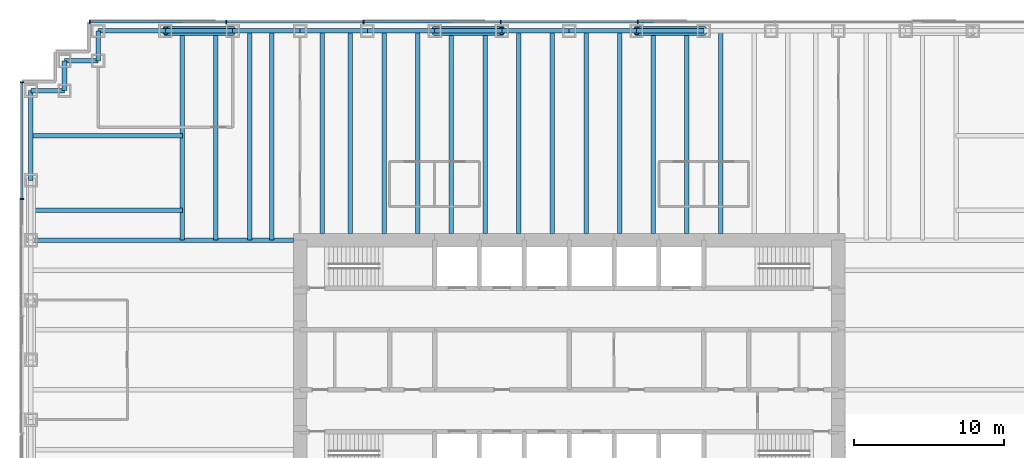
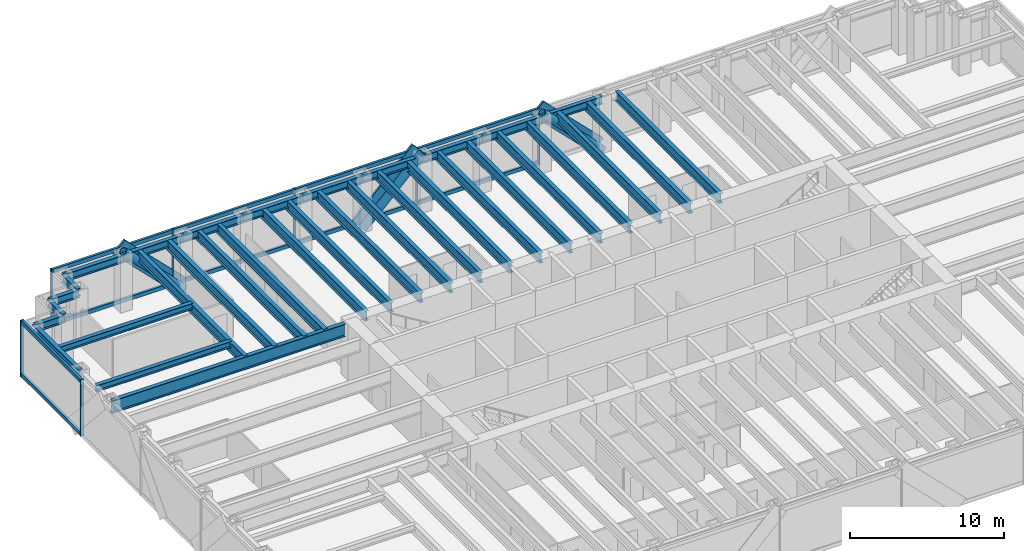
# One storey, part 5 of 13: 34 beams, 23 members, 2 elements without a shape of their own.
"""IFC4 building model written with IfcOpenShell, lengths in metres."""

from ifc_helpers import new_model, si_unit, direction, frame, origin, origin_2d, place, context, subcontext, project, spatial, rectangle, hollow_circle, i_section, extrude, material, material_profile, profile_set, type_object, element, aggregate, save


model = new_model("IFC4")

# Units and contexts
model_context = context("Model", 3, precision=1e-05, world=origin(), true_north=direction((0.0, 1.0)))
body_context = subcontext(model_context, "Body", "Model", "MODEL_VIEW")
ifc_project = project(units=[si_unit("LENGTHUNIT", "METRE"), si_unit("AREAUNIT", "SQUARE_METRE"), si_unit("VOLUMEUNIT", "CUBIC_METRE"), si_unit("PLANEANGLEUNIT", "RADIAN"), si_unit("MASSUNIT", "GRAM", prefix="KILO")], contexts=[model_context])

# Site, building, storey
site_placement = place(None, origin())
site = spatial("IfcSite", under=ifc_project, at=site_placement, CompositionType="ELEMENT")
building_placement = place(site_placement, origin())
building = spatial("IfcBuilding", under=site, at=building_placement, Name="Rheinbord Bourse Tower", CompositionType="ELEMENT")
storey_placement = place(building_placement, frame((0.0, 0.0, 86.0)))
storey = spatial("IfcBuildingStorey", under=building, at=storey_placement, Name="L18", CompositionType="ELEMENT", Elevation=86.0)

# Curtain wall, members
ifc_material_1 = material(Name="Dark glass and black aluminium", Category="aluminium")
curtain_wall_type = type_object("IfcCurtainWallType", Name="CW1 DARK GLASS CURTAIN WALL", PredefinedType="USERDEFINED", material=ifc_material_1)
curtain_wall_1_placement = place(storey_placement, origin())
curtain_wall_1 = element("IfcCurtainWall", 1, at=curtain_wall_1_placement, inside=storey, type_object=curtain_wall_type, Name="Curtain wall CW1 N L18", ObjectType="UNITISED CURTAIN WALL", PredefinedType="USERDEFINED")
ifc_material_2 = material(Name="Black anodised aluminium", Category="aluminium")
ifc_material_profile_1 = material_profile(ifc_material_2, rectangle(XDim=0.179931640625, YDim=1.2099609375, at=origin_2d()), Name="CW1 DIAGONAL MULLION 1210x180")
ifc_profile_set_1 = profile_set([ifc_material_profile_1], Name="Black anodised aluminium")
member_type_1 = type_object("IfcMemberType", Name="CW1 BLACK DIAGONAL MULLION", PredefinedType="USERDEFINED", material=ifc_profile_set_1)
member_1_placement = place(storey_placement, frame((45.0, 46.60009765625, 0.0), z_axis=(-0.707106781187, 0.0, 0.707106781187), x_axis=(0.0, -1.0, 0.0)))
member_1 = element("IfcMember", 2, at=member_1_placement, type_object=member_type_1, Name="CW1 diagonal mullion a", ObjectType="DIAGONAL MULLION", PredefinedType="USERDEFINED", context=body_context, shape_type="SweptSolid", body=[
    extrude(rectangle(XDim=0.179931640625, YDim=1.2099609375, at=origin_2d()), origin(), (0.0, 0.0, 1.0), 6.364013671875),
])
member_2_placement = place(storey_placement, frame((27.0, 46.60009765625, 0.0), z_axis=(0.707106781187, 0.0, 0.707106781187), x_axis=(0.0, 1.0, 0.0)))
member_2 = element("IfcMember", 3, at=member_2_placement, type_object=member_type_1, Name="CW1 diagonal mullion b", ObjectType="DIAGONAL MULLION", PredefinedType="USERDEFINED", context=body_context, shape_type="SweptSolid", body=[
    extrude(rectangle(XDim=0.179931640625, YDim=1.2099609375, at=origin_2d()), origin(), (0.0, 0.0, 1.0), 6.364013671875),
])
member_3_placement = place(storey_placement, frame((13.5, 46.60009765625, 0.0), z_axis=(-0.707106781187, 0.0, 0.707106781187), x_axis=(0.0, -1.0, 0.0)))
member_3 = element("IfcMember", 4, at=member_3_placement, type_object=member_type_1, Name="CW1 diagonal mullion c", ObjectType="DIAGONAL MULLION", PredefinedType="USERDEFINED", context=body_context, shape_type="SweptSolid", body=[
    extrude(rectangle(XDim=0.179931640625, YDim=1.2099609375, at=origin_2d()), origin(), (0.0, 0.0, 1.0), 6.364013671875),
])
ifc_material_3 = material(Name="Black anodised aluminium", Category="aluminium")
ifc_material_profile_2 = material_profile(ifc_material_3, rectangle(XDim=0.25, YDim=0.080078125, at=origin_2d()), Name="CW1 MULLION 80x250")
ifc_profile_set_2 = profile_set([ifc_material_profile_2], Name="Black anodised aluminium")
member_type_2 = type_object("IfcMemberType", Name="CW1 BLACK MULLION", PredefinedType="MULLION", material=ifc_profile_set_2)
member_4_placement = place(storey_placement, frame((40.585693359375, 46.60009765625, 0.0), z_axis=(0.0, 0.0, 1.0), x_axis=(0.0, -1.0, 0.0)))
member_4 = element("IfcMember", 5, at=member_4_placement, type_object=member_type_2, Name="CW1 mullion 4", PredefinedType="MULLION", context=body_context, shape_type="SweptSolid", body=[
    extrude(rectangle(XDim=0.25, YDim=0.080078125, at=origin_2d()), origin(), (0.0, 0.0, 1.0), 4.5),
])
member_5_placement = place(storey_placement, frame((31.414306640625, 46.60009765625, 0.0), z_axis=(0.0, 0.0, 1.0), x_axis=(0.0, -1.0, 0.0)))
member_5 = element("IfcMember", 6, at=member_5_placement, type_object=member_type_2, Name="CW1 mullion 5", PredefinedType="MULLION", context=body_context, shape_type="SweptSolid", body=[
    extrude(rectangle(XDim=0.25, YDim=0.080078125, at=origin_2d()), origin(), (0.0, 0.0, 1.0), 4.5),
])
member_6_placement = place(storey_placement, frame((22.242919921875, 46.60009765625, 0.0), z_axis=(0.0, 0.0, 1.0), x_axis=(0.0, -1.0, 0.0)))
member_6 = element("IfcMember", 7, at=member_6_placement, type_object=member_type_2, Name="CW1 mullion 6", PredefinedType="MULLION", context=body_context, shape_type="SweptSolid", body=[
    extrude(rectangle(XDim=0.25, YDim=0.080078125, at=origin_2d()), origin(), (0.0, 0.0, 1.0), 4.5),
])
member_7_placement = place(storey_placement, frame((13.071533203125, 46.60009765625, 0.0), z_axis=(0.0, 0.0, 1.0), x_axis=(0.0, -1.0, 0.0)))
member_7 = element("IfcMember", 8, at=member_7_placement, type_object=member_type_2, Name="CW1 mullion 7", PredefinedType="MULLION", context=body_context, shape_type="SweptSolid", body=[
    extrude(rectangle(XDim=0.25, YDim=0.080078125, at=origin_2d()), origin(), (0.0, 0.0, 1.0), 4.5),
])
member_8_placement = place(storey_placement, frame((3.93994140625, 46.60009765625, 0.0), z_axis=(0.0, 0.0, 1.0), x_axis=(0.0, -1.0, 0.0)))
member_8 = element("IfcMember", 9, at=member_8_placement, type_object=member_type_2, Name="CW1 mullion 8", PredefinedType="MULLION", context=body_context, shape_type="SweptSolid", body=[
    extrude(rectangle(XDim=0.25, YDim=0.080078125, at=origin_2d()), origin(), (0.0, 0.0, 1.0), 4.5),
])

curtain_wall_2_placement = place(storey_placement, origin())
curtain_wall_2 = element("IfcCurtainWall", 10, at=curtain_wall_2_placement, inside=storey, type_object=curtain_wall_type, Name="Curtain wall CW1 W L18", ObjectType="UNITISED CURTAIN WALL", PredefinedType="USERDEFINED")
member_9_placement = place(storey_placement, frame((-0.60009765625, 42.56005859375, 0.0), z_axis=(0.0, 0.0, 1.0), x_axis=(1.0, 0.0, 0.0)))
member_9 = element("IfcMember", 11, at=member_9_placement, type_object=member_type_2, Name="CW1 mullion 1", PredefinedType="MULLION", context=body_context, shape_type="SweptSolid", body=[
    extrude(rectangle(XDim=0.25, YDim=0.080078125, at=origin_2d()), origin(), (0.0, 0.0, 1.0), 4.5),
])
member_10_placement = place(storey_placement, frame((-0.60009765625, 34.760009765625, 0.0), z_axis=(0.0, 0.0, 1.0), x_axis=(1.0, 0.0, 0.0)))
member_10 = element("IfcMember", 12, at=member_10_placement, type_object=member_type_2, Name="CW1 mullion 2", PredefinedType="MULLION", context=body_context, shape_type="SweptSolid", body=[
    extrude(rectangle(XDim=0.25, YDim=0.080078125, at=origin_2d()), origin(), (0.0, 0.0, 1.0), 4.5),
])

# Member
ifc_material_4 = material(Name="Black anodised aluminium", Category="aluminium")
ifc_material_profile_3 = material_profile(ifc_material_4, rectangle(XDim=0.179931640625, YDim=0.300048828125, at=origin_2d()), Name="CW1 TRANSOM 300x180")
ifc_profile_set_3 = profile_set([ifc_material_profile_3], Name="Black anodised aluminium")
member_type_3 = type_object("IfcMemberType", Name="CW1 BLACK TRANSOM", PredefinedType="USERDEFINED", material=ifc_profile_set_3)
member_11_placement = place(storey_placement, frame((40.545654296875, 46.60009765625, 0.14990234375), z_axis=(-1.0, 0.0, 0.0), x_axis=(0.0, -1.0, 0.0)))
member_11 = element("IfcMember", 13, at=member_11_placement, type_object=member_type_3, Name="CW1 transom 4.1", ObjectType="TRANSOM", PredefinedType="USERDEFINED", context=body_context, shape_type="SweptSolid", body=[
    extrude(rectangle(XDim=0.179931640625, YDim=0.300048828125, at=origin_2d()), origin(), (0.0, 0.0, 1.0), 9.09130859375),
])

member_12_placement = place(storey_placement, frame((40.545654296875, 46.60009765625, 4.35009765625), z_axis=(-1.0, 0.0, 0.0), x_axis=(0.0, -1.0, 0.0)))
member_12 = element("IfcMember", 14, at=member_12_placement, type_object=member_type_3, Name="CW1 transom 4.2", ObjectType="TRANSOM", PredefinedType="USERDEFINED", context=body_context, shape_type="SweptSolid", body=[
    extrude(rectangle(XDim=0.179931640625, YDim=0.300048828125, at=origin_2d()), origin(), (0.0, 0.0, 1.0), 9.09130859375),
])

member_13_placement = place(storey_placement, frame((31.374267578125, 46.60009765625, 0.14990234375), z_axis=(-1.0, 0.0, 0.0), x_axis=(0.0, -1.0, 0.0)))
member_13 = element("IfcMember", 15, at=member_13_placement, type_object=member_type_3, Name="CW1 transom 5.1", ObjectType="TRANSOM", PredefinedType="USERDEFINED", context=body_context, shape_type="SweptSolid", body=[
    extrude(rectangle(XDim=0.179931640625, YDim=0.300048828125, at=origin_2d()), origin(), (0.0, 0.0, 1.0), 9.09130859375),
])

member_14_placement = place(storey_placement, frame((31.374267578125, 46.60009765625, 4.35009765625), z_axis=(-1.0, 0.0, 0.0), x_axis=(0.0, -1.0, 0.0)))
member_14 = element("IfcMember", 16, at=member_14_placement, type_object=member_type_3, Name="CW1 transom 5.2", ObjectType="TRANSOM", PredefinedType="USERDEFINED", context=body_context, shape_type="SweptSolid", body=[
    extrude(rectangle(XDim=0.179931640625, YDim=0.300048828125, at=origin_2d()), origin(), (0.0, 0.0, 1.0), 9.09130859375),
])

member_15_placement = place(storey_placement, frame((22.202880859375, 46.60009765625, 0.14990234375), z_axis=(-1.0, 0.0, 0.0), x_axis=(0.0, -1.0, 0.0)))
member_15 = element("IfcMember", 17, at=member_15_placement, type_object=member_type_3, Name="CW1 transom 6.1", ObjectType="TRANSOM", PredefinedType="USERDEFINED", context=body_context, shape_type="SweptSolid", body=[
    extrude(rectangle(XDim=0.179931640625, YDim=0.300048828125, at=origin_2d()), origin(), (0.0, 0.0, 1.0), 9.091552734375),
])

member_16_placement = place(storey_placement, frame((22.202880859375, 46.60009765625, 4.35009765625), z_axis=(-1.0, 0.0, 0.0), x_axis=(0.0, -1.0, 0.0)))
member_16 = element("IfcMember", 18, at=member_16_placement, type_object=member_type_3, Name="CW1 transom 6.2", ObjectType="TRANSOM", PredefinedType="USERDEFINED", context=body_context, shape_type="SweptSolid", body=[
    extrude(rectangle(XDim=0.179931640625, YDim=0.300048828125, at=origin_2d()), origin(), (0.0, 0.0, 1.0), 9.091552734375),
])

member_17_placement = place(storey_placement, frame((13.031494140625, 46.60009765625, 0.14990234375), z_axis=(-1.0, 0.0, 0.0), x_axis=(0.0, -1.0, 0.0)))
member_17 = element("IfcMember", 19, at=member_17_placement, type_object=member_type_3, Name="CW1 transom 7.1", ObjectType="TRANSOM", PredefinedType="USERDEFINED", context=body_context, shape_type="SweptSolid", body=[
    extrude(rectangle(XDim=0.179931640625, YDim=0.300048828125, at=origin_2d()), origin(), (0.0, 0.0, 1.0), 9.051513671875),
])

member_18_placement = place(storey_placement, frame((13.031494140625, 46.60009765625, 4.35009765625), z_axis=(-1.0, 0.0, 0.0), x_axis=(0.0, -1.0, 0.0)))
member_18 = element("IfcMember", 20, at=member_18_placement, type_object=member_type_3, Name="CW1 transom 7.2", ObjectType="TRANSOM", PredefinedType="USERDEFINED", context=body_context, shape_type="SweptSolid", body=[
    extrude(rectangle(XDim=0.179931640625, YDim=0.300048828125, at=origin_2d()), origin(), (0.0, 0.0, 1.0), 9.051513671875),
])

aggregate(curtain_wall_1, [member_4, member_5, member_6, member_7, member_8, member_11, member_12, member_13, member_14, member_15, member_16, member_17, member_18, member_1, member_2, member_3])

member_19_placement = place(storey_placement, frame((-0.60009765625, 42.52001953125, 0.14990234375), z_axis=(0.0, -1.0, 0.0), x_axis=(1.0, 0.0, 0.0)))
member_19 = element("IfcMember", 21, at=member_19_placement, type_object=member_type_3, Name="CW1 transom 1.1", ObjectType="TRANSOM", PredefinedType="USERDEFINED", context=body_context, shape_type="SweptSolid", body=[
    extrude(rectangle(XDim=0.179931640625, YDim=0.300048828125, at=origin_2d()), origin(), (0.0, 0.0, 1.0), 7.719970703125),
])

member_20_placement = place(storey_placement, frame((-0.60009765625, 42.52001953125, 4.35009765625), z_axis=(0.0, -1.0, 0.0), x_axis=(1.0, 0.0, 0.0)))
member_20 = element("IfcMember", 22, at=member_20_placement, type_object=member_type_3, Name="CW1 transom 1.2", ObjectType="TRANSOM", PredefinedType="USERDEFINED", context=body_context, shape_type="SweptSolid", body=[
    extrude(rectangle(XDim=0.179931640625, YDim=0.300048828125, at=origin_2d()), origin(), (0.0, 0.0, 1.0), 7.719970703125),
])

aggregate(curtain_wall_2, [member_9, member_10, member_19, member_20])

# Beams
ifc_material_5 = material(Name="Steel S460", Category="steel")
ifc_material_profile_4 = material_profile(ifc_material_5, i_section(OverallWidth=0.300048828125, OverallDepth=0.800048828125, WebThickness=0.017578125, FlangeThickness=0.032958984375, at=origin_2d()), Name="HEB 800")
ifc_profile_set_4 = profile_set([ifc_material_profile_4], Name="Steel S460")
beam_type_1 = type_object("IfcBeamType", Name="FLOOR BEAM HEB 800", PredefinedType="BEAM", material=ifc_profile_set_4)
for number, where, z_axis, x_axis, name in (
    (23, (10.125, 46.0, 3.919921875), (0.0, -1.0, 0.0), (1.0, 0.0, 0.0), "Floor beam N-9a L19"),
    (24, (12.375, 46.0, 3.919921875), (0.0, -1.0, 0.0), (1.0, 0.0, 0.0), "Floor beam N-9b L19"),
    (25, (14.625, 46.0, 3.919921875), (0.0, -1.0, 0.0), (1.0, 0.0, 0.0), "Floor beam N-13.5a L19"),
    (26, (16.125, 46.0, 3.919921875), (0.0, -1.0, 0.0), (1.0, 0.0, 0.0), "Floor beam N-13.5b L19"),
):
    element("IfcBeam", number, at=place(storey_placement, frame(where, z_axis=z_axis, x_axis=x_axis)), inside=storey, type_object=beam_type_1, Name=name, PredefinedType="BEAM", context=body_context, shape_type="SweptSolid", body=[
        extrude(i_section(OverallWidth=0.300048828125, OverallDepth=0.800048828125, WebThickness=0.017578125, FlangeThickness=0.032958984375, at=origin_2d()), origin(), (0.0, 0.0, 1.0), 14.0),
    ])
for number, where, z_axis, x_axis, name in (
    (27, (19.5, 46.0, 3.919921875), (0.0, -1.0, 0.0), (1.0, 0.0, 0.0), "Floor beam N-18a L19"),
    (28, (21.375, 46.0, 3.919921875), (0.0, -1.0, 0.0), (1.0, 0.0, 0.0), "Floor beam N-18b L19"),
    (29, (23.625, 46.0, 3.919921875), (0.0, -1.0, 0.0), (1.0, 0.0, 0.0), "Floor beam N-22.5a L19"),
    (30, (25.875, 46.0, 3.919921875), (0.0, -1.0, 0.0), (1.0, 0.0, 0.0), "Floor beam N-22.5b L19"),
    (31, (28.125, 46.0, 3.919921875), (0.0, -1.0, 0.0), (1.0, 0.0, 0.0), "Floor beam N-27a L19"),
    (32, (30.375, 46.0, 3.919921875), (0.0, -1.0, 0.0), (1.0, 0.0, 0.0), "Floor beam N-27b L19"),
    (33, (32.625, 46.0, 3.919921875), (0.0, -1.0, 0.0), (1.0, 0.0, 0.0), "Floor beam N-31.5a L19"),
    (34, (34.875, 46.0, 3.919921875), (0.0, -1.0, 0.0), (1.0, 0.0, 0.0), "Floor beam N-31.5b L19"),
    (35, (37.125, 46.0, 3.919921875), (0.0, -1.0, 0.0), (1.0, 0.0, 0.0), "Floor beam N-36a L19"),
    (36, (39.375, 46.0, 3.919921875), (0.0, -1.0, 0.0), (1.0, 0.0, 0.0), "Floor beam N-36b L19"),
    (37, (41.625, 46.0, 3.919921875), (0.0, -1.0, 0.0), (1.0, 0.0, 0.0), "Floor beam N-40.5a L19"),
    (38, (43.875, 46.0, 3.919921875), (0.0, -1.0, 0.0), (1.0, 0.0, 0.0), "Floor beam N-40.5b L19"),
    (39, (46.125, 46.0, 3.919921875), (0.0, -1.0, 0.0), (1.0, 0.0, 0.0), "Floor beam N-45a L19"),
):
    element("IfcBeam", number, at=place(storey_placement, frame(where, z_axis=z_axis, x_axis=x_axis)), inside=storey, type_object=beam_type_1, Name=name, PredefinedType="BEAM", context=body_context, shape_type="SweptSolid", body=[
        extrude(i_section(OverallWidth=0.300048828125, OverallDepth=0.800048828125, WebThickness=0.017578125, FlangeThickness=0.032958984375, at=origin_2d()), origin(), (0.0, 0.0, 1.0), 13.550048828125),
    ])
ifc_material_6 = material(Name="Steel S460", Category="steel")
ifc_material_profile_5 = material_profile(ifc_material_6, i_section(OverallWidth=0.302001953125, OverallDepth=1.008056640625, WebThickness=0.02099609375, FlangeThickness=0.0400390625, at=origin_2d()), Name="HEM 1000")
ifc_profile_set_5 = profile_set([ifc_material_profile_5], Name="Steel S460")
beam_type_2 = type_object("IfcBeamType", Name="GIRDER HEM 1000", PredefinedType="BEAM", material=ifc_profile_set_5)
beam_1_placement = place(storey_placement, frame((0.0, 32.0, 3.81591796875), z_axis=(1.0, 0.0, 0.0), x_axis=(0.0, 1.0, 0.0)))
element("IfcBeam", 40, at=beam_1_placement, inside=storey, type_object=beam_type_2, Name="Girder west 32 L19", PredefinedType="BEAM", context=body_context, shape_type="SweptSolid", body=[
    extrude(i_section(OverallWidth=0.302001953125, OverallDepth=1.008056640625, WebThickness=0.02099609375, FlangeThickness=0.0400390625, at=origin_2d()), origin(), (0.0, 0.0, 1.0), 17.550048828125),
])

# Members
ifc_material_7 = material(Name="Steel S460", Category="steel")
ifc_material_profile_6 = material_profile(ifc_material_7, hollow_circle(Radius=0.304931640625, WallThickness=0.050048828125, at=origin_2d()), Name="CHS 610x50")
ifc_profile_set_6 = profile_set([ifc_material_profile_6], Name="Steel S460")
member_type_4 = type_object("IfcMemberType", Name="MEGABRACE CHS 610x50", PredefinedType="BRACE", material=ifc_profile_set_6)
for number, where, z_axis, x_axis, name in (
    (41, (45.0, 46.0, 0.0), (-0.707106781187, 0.0, 0.707106781187), (0.0, -1.0, 0.0), "Megabrace N face line a L18"),
    (42, (27.0, 46.0, 0.0), (0.707106781187, 0.0, 0.707106781187), (0.0, 1.0, 0.0), "Megabrace N face line b L18"),
    (43, (13.5, 46.0, 0.0), (-0.707106781187, 0.0, 0.707106781187), (0.0, -1.0, 0.0), "Megabrace N face line c L18"),
):
    element("IfcMember", number, at=place(storey_placement, frame(where, z_axis=z_axis, x_axis=x_axis)), inside=storey, type_object=member_type_4, Name=name, PredefinedType="BRACE", context=body_context, shape_type="SweptSolid", body=[
        extrude(hollow_circle(Radius=0.304931640625, WallThickness=0.050048828125, at=origin_2d()), origin(), (0.0, 0.0, 1.0), 6.364013671875),
    ])

# Beams
ifc_material_8 = material(Name="Steel S460", Category="steel")
ifc_material_profile_7 = material_profile(ifc_material_8, i_section(OverallWidth=0.304931640625, OverallDepth=0.6201171875, WebThickness=0.02099609375, FlangeThickness=0.0400390625, at=origin_2d()), Name="HEM 600")
ifc_profile_set_7 = profile_set([ifc_material_profile_7], Name="Steel S460")
beam_type_3 = type_object("IfcBeamType", Name="SPANDREL HEM 600", PredefinedType="SPANDREL", material=ifc_profile_set_7)
for number, where, z_axis, x_axis, name in (
    (44, (45.0, 46.0, 4.010009765625), (-1.0, 0.0, 0.0), (0.0, -1.0, 0.0), "Spandrel N-45-N-40.5 under L19"),
    (45, (40.5, 46.0, 4.010009765625), (-1.0, 0.0, 0.0), (0.0, -1.0, 0.0), "Spandrel N-40.5-N-36 under L19"),
    (46, (36.0, 46.0, 4.010009765625), (-1.0, 0.0, 0.0), (0.0, -1.0, 0.0), "Spandrel N-36-N-31.5 under L19"),
    (47, (31.5, 46.0, 4.010009765625), (-1.0, 0.0, 0.0), (0.0, -1.0, 0.0), "Spandrel N-31.5-N-27 under L19"),
    (48, (27.0, 46.0, 4.010009765625), (-1.0, 0.0, 0.0), (0.0, -1.0, 0.0), "Spandrel N-27-N-22.5 under L19"),
    (49, (22.5, 46.0, 4.010009765625), (-1.0, 0.0, 0.0), (0.0, -1.0, 0.0), "Spandrel N-22.5-N-18 under L19"),
    (50, (18.0, 46.0, 4.010009765625), (-1.0, 0.0, 0.0), (0.0, -1.0, 0.0), "Spandrel N-18-N-13.5 under L19"),
    (51, (13.5, 46.0, 4.010009765625), (-1.0, 0.0, 0.0), (0.0, -1.0, 0.0), "Spandrel N-13.5-N-9 under L19"),
    (52, (9.0, 46.0, 4.010009765625), (-1.0, 0.0, 0.0), (0.0, -1.0, 0.0), "Spandrel N-9-NW-E under L19"),
):
    element("IfcBeam", number, at=place(storey_placement, frame(where, z_axis=z_axis, x_axis=x_axis)), inside=storey, type_object=beam_type_3, Name=name, PredefinedType="SPANDREL", context=body_context, shape_type="SweptSolid", body=[
        extrude(i_section(OverallWidth=0.304931640625, OverallDepth=0.6201171875, WebThickness=0.02099609375, FlangeThickness=0.0400390625, at=origin_2d()), origin(), (0.0, 0.0, 1.0), 4.5),
    ])
beam_2_placement = place(storey_placement, frame((4.5, 46.0, 4.010009765625), z_axis=(0.0, -1.0, 0.0), x_axis=(1.0, 0.0, 0.0)))
element("IfcBeam", 53, at=beam_2_placement, inside=storey, type_object=beam_type_3, Name="Spandrel NW-E-NW-D under L19", PredefinedType="SPANDREL", context=body_context, shape_type="SweptSolid", body=[
    extrude(i_section(OverallWidth=0.304931640625, OverallDepth=0.6201171875, WebThickness=0.02099609375, FlangeThickness=0.0400390625, at=origin_2d()), origin(), (0.0, 0.0, 1.0), 2.0),
])
beam_3_placement = place(storey_placement, frame((4.5, 44.0, 4.010009765625), z_axis=(-1.0, 0.0, 0.0), x_axis=(0.0, -1.0, 0.0)))
element("IfcBeam", 54, at=beam_3_placement, inside=storey, type_object=beam_type_3, Name="Spandrel NW-D-NW-C under L19", PredefinedType="SPANDREL", context=body_context, shape_type="SweptSolid", body=[
    extrude(i_section(OverallWidth=0.304931640625, OverallDepth=0.6201171875, WebThickness=0.02099609375, FlangeThickness=0.0400390625, at=origin_2d()), origin(), (0.0, 0.0, 1.0), 2.25),
])
beam_4_placement = place(storey_placement, frame((2.25, 44.0, 4.010009765625), z_axis=(0.0, -1.0, 0.0), x_axis=(1.0, 0.0, 0.0)))
element("IfcBeam", 55, at=beam_4_placement, inside=storey, type_object=beam_type_3, Name="Spandrel NW-C-NW-B under L19", PredefinedType="SPANDREL", context=body_context, shape_type="SweptSolid", body=[
    extrude(i_section(OverallWidth=0.304931640625, OverallDepth=0.6201171875, WebThickness=0.02099609375, FlangeThickness=0.0400390625, at=origin_2d()), origin(), (0.0, 0.0, 1.0), 2.0),
])
beam_5_placement = place(storey_placement, frame((2.25, 42.0, 4.010009765625), z_axis=(-1.0, 0.0, 0.0), x_axis=(0.0, -1.0, 0.0)))
element("IfcBeam", 56, at=beam_5_placement, inside=storey, type_object=beam_type_3, Name="Spandrel NW-B-NW-A under L19", PredefinedType="SPANDREL", context=body_context, shape_type="SweptSolid", body=[
    extrude(i_section(OverallWidth=0.304931640625, OverallDepth=0.6201171875, WebThickness=0.02099609375, FlangeThickness=0.0400390625, at=origin_2d()), origin(), (0.0, 0.0, 1.0), 2.25),
])
beam_6_placement = place(storey_placement, frame((0.0, 42.0, 4.010009765625), z_axis=(0.0, -1.0, 0.0), x_axis=(1.0, 0.0, 0.0)))
element("IfcBeam", 57, at=beam_6_placement, inside=storey, type_object=beam_type_3, Name="Spandrel NW-A-W-36 under L19", PredefinedType="SPANDREL", context=body_context, shape_type="SweptSolid", body=[
    extrude(i_section(OverallWidth=0.304931640625, OverallDepth=0.6201171875, WebThickness=0.02099609375, FlangeThickness=0.0400390625, at=origin_2d()), origin(), (0.0, 0.0, 1.0), 6.0),
])
ifc_material_9 = material(Name="Steel S460", Category="steel")
ifc_material_profile_8 = material_profile(ifc_material_9, i_section(OverallWidth=0.300048828125, OverallDepth=0.5, WebThickness=0.014404296875, FlangeThickness=0.028076171875, at=origin_2d()), Name="HEB 500")
ifc_profile_set_8 = profile_set([ifc_material_profile_8], Name="Steel S460")
beam_type_4 = type_object("IfcBeamType", Name="TIE BEAM HEB 500", PredefinedType="JOIST", material=ifc_profile_set_8)
for number, where, z_axis, x_axis, name in (
    (58, (0.0, 34.0, 4.070068359375), (1.0, 0.0, 0.0), (0.0, 1.0, 0.0), "Tie west 34 L19"),
    (59, (0.0, 39.0, 4.070068359375), (1.0, 0.0, 0.0), (0.0, 1.0, 0.0), "Tie west 39 L19"),
):
    element("IfcBeam", number, at=place(storey_placement, frame(where, z_axis=z_axis, x_axis=x_axis)), inside=storey, type_object=beam_type_4, Name=name, PredefinedType="JOIST", context=body_context, shape_type="SweptSolid", body=[
        extrude(i_section(OverallWidth=0.300048828125, OverallDepth=0.5, WebThickness=0.014404296875, FlangeThickness=0.028076171875, at=origin_2d()), origin(), (0.0, 0.0, 1.0), 10.125),
    ])

save(model, "model.ifc")
